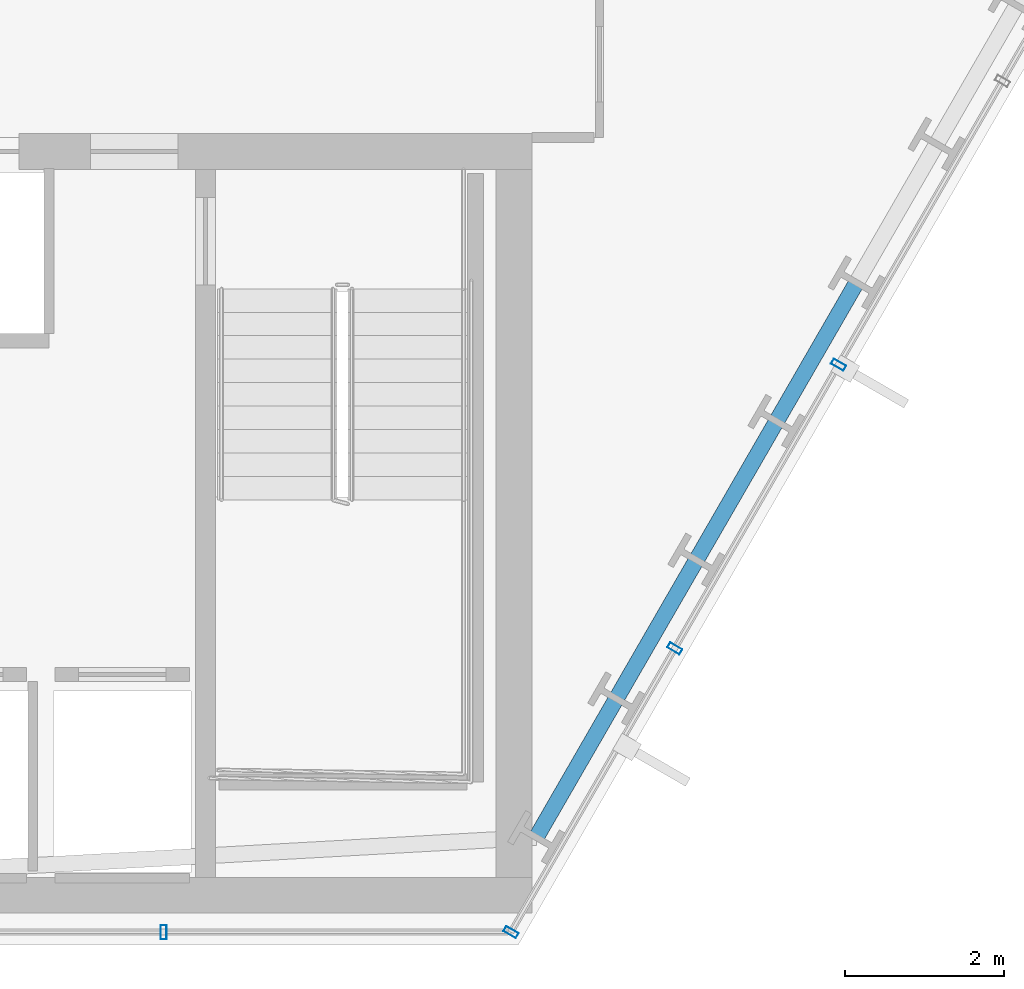
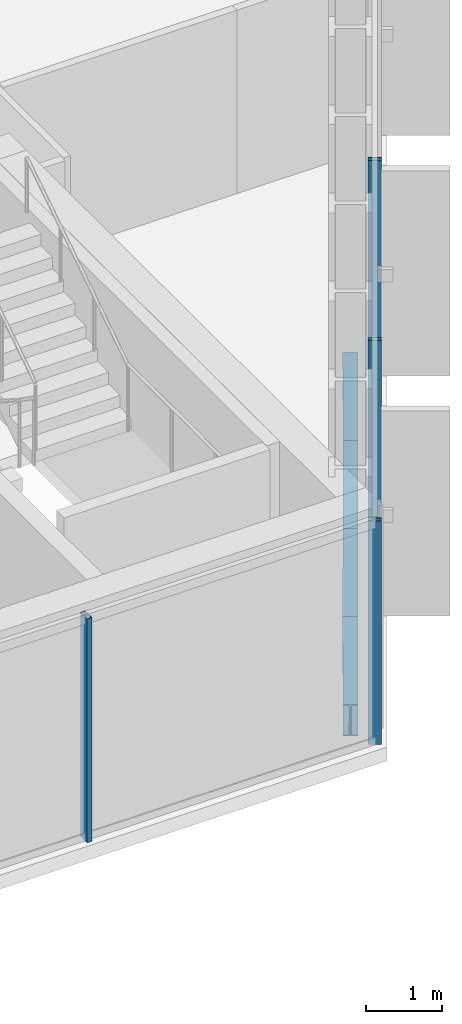
# One storey, part 14 of 33: 4 beams, 4 members, 2 elements without a shape of their own.
"""IFC4 building model written with IfcOpenShell, lengths in metres."""

import ifcopenshell
import ifcopenshell.guid

model = None  # the IFC model being written
_history = None  # IfcOwnerHistory: only IFC2X3 demands one
_inside = {}  # id of a spatial element -> (the spatial element, [elements in it])
_under = {}  # id of a project, library or spatial element -> (it, [spatial elements below it])
_declared = {}  # id of a project -> (the project, [libraries it declares])
_typed = {}  # id of a type object -> (the type object, [elements of that type])
_made_of = {}  # id of a material, layer set ... -> (it, [elements and type objects made of it])


def new_model(schema):
    """Start an empty IFC model of exactly this schema.

    Asked for "IFC4X3", IfcOpenShell would pick the latest addendum, in which some entities
    have other attributes; the version numbers below select the first issue.
    IFC2X3 requires an IfcOwnerHistory on every rooted entity: one is made here for all.
    """
    global model, _history
    if schema == "IFC4X3":
        model = ifcopenshell.file(schema_version=(4, 3, 0, 0))
    else:
        model = ifcopenshell.file(schema=schema)
    _inside.clear()
    _under.clear()
    _declared.clear()
    _typed.clear()
    _made_of.clear()
    _history = None
    if model.schema == "IFC2X3":
        org = make("IfcOrganization", Name="unknown")
        user = make(
            "IfcPersonAndOrganization",
            ThePerson=make("IfcPerson", FamilyName="unknown"),
            TheOrganization=org,
        )
        app = make(
            "IfcApplication",
            ApplicationDeveloper=org,
            Version="unknown",
            ApplicationFullName="unknown",
            ApplicationIdentifier="unknown",
        )
        _history = make(
            "IfcOwnerHistory",
            OwningUser=user,
            OwningApplication=app,
            ChangeAction="ADDED",
            CreationDate=0,
        )
    return model


def make(cls, **values):
    """One entity of the class cls with the attributes given. An attribute that is None is left unset."""
    return model.create_entity(
        cls, **{name: value for name, value in values.items() if value is not None}
    )


def rooted(cls, **values):
    """An entity with a GlobalId (a new one), such as an element, a storey or a relation."""
    return make(cls, GlobalId=ifcopenshell.guid.new(), OwnerHistory=_history, **values)


def si_unit(unit_type, name, prefix=None):
    """IfcSIUnit, for example si_unit("LENGTHUNIT", "METRE", prefix="MILLI")."""
    return make("IfcSIUnit", UnitType=unit_type, Prefix=prefix, Name=name)


def assignment(units):
    """IfcUnitAssignment: the units of a project."""
    return None if units is None else make("IfcUnitAssignment", Units=units)


def point(xyz):
    """IfcCartesianPoint."""
    return None if xyz is None else make("IfcCartesianPoint", Coordinates=xyz)


def direction(xyz):
    """IfcDirection."""
    return None if xyz is None else make("IfcDirection", DirectionRatios=xyz)


def frame(location, z_axis=None, x_axis=None):
    """IfcAxis2Placement3D, a coordinate frame: its origin and axes. An axis left out is left unset."""
    return make(
        "IfcAxis2Placement3D",
        Location=point(location),
        Axis=direction(z_axis),
        RefDirection=direction(x_axis),
    )


def frame_2d(location, x_axis=None):
    """IfcAxis2Placement2D, a coordinate frame in the plane: its origin and x axis."""
    return make(
        "IfcAxis2Placement2D", Location=point(location), RefDirection=direction(x_axis)
    )


def origin():
    """The frame at (0, 0, 0) with its axes left unset."""
    return frame((0.0, 0.0, 0.0))


def origin_2d():
    """The frame at (0, 0) in the plane with its x axis left unset."""
    return frame_2d((0.0, 0.0))


def place(relative_to, where):
    """IfcLocalPlacement: puts the frame where relative to a parent placement (None: the world)."""
    return make(
        "IfcLocalPlacement", PlacementRelTo=relative_to, RelativePlacement=where
    )


def context(
    kind, dimensions, precision=None, world=None, true_north=None, identifier=None
):
    """IfcGeometricRepresentationContext, for example the 3D "Model" context."""
    return make(
        "IfcGeometricRepresentationContext",
        ContextIdentifier=identifier,
        ContextType=kind,
        CoordinateSpaceDimension=dimensions,
        Precision=precision,
        WorldCoordinateSystem=world,
        TrueNorth=true_north,
    )


def subcontext(parent, identifier, kind, view, scale=None):
    """IfcGeometricRepresentationSubContext, for example "Body" below "Model"."""
    return make(
        "IfcGeometricRepresentationSubContext",
        ContextIdentifier=identifier,
        ContextType=kind,
        ParentContext=parent,
        TargetScale=scale,
        TargetView=view,
    )


def project(units=None, contexts=None):
    """IfcProject with its units and contexts."""
    return rooted(
        "IfcProject",
        Name="project",
        RepresentationContexts=contexts,
        UnitsInContext=assignment(units),
    )


def spatial(cls, under=None, at=None, **own):
    """A site, building, storey or space (cls), placed at a placement, below another one or the project."""
    s = rooted(cls, ObjectPlacement=at, **own)
    if under is not None:
        _under.setdefault(under.id(), (under, []))[1].append(s)
    return s


def profile(cls, at=None, kind="AREA", **sizes):
    """A parametric profile (cls). Its sizes go by their IFC names, for example OverallWidth=200.0."""
    return make(cls, ProfileType=kind, Position=at, **sizes)


def hollow_rectangle(**sizes):
    """IfcRectangleHollowProfileDef."""
    return profile("IfcRectangleHollowProfileDef", **sizes)


def i_section(**sizes):
    """IfcIShapeProfileDef."""
    return profile("IfcIShapeProfileDef", **sizes)


def extrude(swept, where, along, depth):
    """IfcExtrudedAreaSolid: the profile swept, set in the frame where, extruded along a direction by depth."""
    return make(
        "IfcExtrudedAreaSolid",
        SweptArea=swept,
        Position=where,
        ExtrudedDirection=direction(along),
        Depth=depth,
    )


def shape(context_of_items, identifier, shape_type, items):
    """IfcShapeRepresentation: the items that make up one representation, for example the "Body"."""
    return make(
        "IfcShapeRepresentation",
        ContextOfItems=context_of_items,
        RepresentationIdentifier=identifier,
        RepresentationType=shape_type,
        Items=items,
    )


def material(Name=None, Category=None):
    """IfcMaterial."""
    return make("IfcMaterial", Name=Name, Category=Category)


def layer(
    of_material, thickness, ventilated=None, Name=None, Category=None, Priority=None
):
    """IfcMaterialLayer: one layer of a wall or slab, of a material (None: an air gap)."""
    return make(
        "IfcMaterialLayer",
        Material=of_material,
        LayerThickness=thickness,
        IsVentilated=ventilated,
        Name=Name,
        Category=Category,
        Priority=Priority,
    )


def layer_set(layers, Name=None):
    """IfcMaterialLayerSet."""
    return make("IfcMaterialLayerSet", MaterialLayers=layers, LayerSetName=Name)


def material_profile(
    of_material, cross_section, Name=None, Category=None, Priority=None
):
    """IfcMaterialProfile: a cross section and its material."""
    return make(
        "IfcMaterialProfile",
        Name=Name,
        Material=of_material,
        Profile=cross_section,
        Priority=Priority,
        Category=Category,
    )


def profile_set(profiles, Name=None, composite=None):
    """IfcMaterialProfileSet."""
    return make(
        "IfcMaterialProfileSet",
        Name=Name,
        MaterialProfiles=profiles,
        CompositeProfile=composite,
    )


def made_of(thing, what):
    """Note that an element or type object is made of a material, layer set ...; save() writes the relation."""
    if what is not None:
        _made_of.setdefault(what.id(), (what, []))[1].append(thing)
    return thing


def type_object(cls, material=None, **own):
    """A type object (cls), such as IfcWallType, which elements share."""
    return made_of(rooted(cls, **own), material)


def element(
    cls,
    number,
    at=None,
    inside=None,
    cuts=None,
    type_object=None,
    material=None,
    context=None,
    identifier="Body",
    shape_type=None,
    held_by="IfcProductDefinitionShape",
    body=None,
    shapes=None,
    **own,
):
    """One element of the class cls, such as IfcWall. Its Tag is "e" and its number.

    at: its placement. inside: the storey or other place that contains it. cuts: it is an
    opening in that element (IfcRelVoidsElement). A single representation is given by context,
    identifier, shape_type and body (its items); several are given by shapes. held_by: the class
    of the entity that holds the representations. save() writes the other relations.
    """
    e = rooted(cls, Tag="e%d" % number, ObjectPlacement=at, **own)
    if body is not None:
        shapes = [shape(context, identifier, shape_type, body)]
    if shapes is not None:
        e.Representation = make(held_by, Representations=shapes)
    if inside is not None:
        _inside.setdefault(inside.id(), (inside, []))[1].append(e)
    if cuts is not None:
        rooted(
            "IfcRelVoidsElement", RelatingBuildingElement=cuts, RelatedOpeningElement=e
        )
    if type_object is not None:
        _typed.setdefault(type_object.id(), (type_object, []))[1].append(e)
    return made_of(e, material)


def aggregate(whole, parts):
    """IfcRelAggregates: a whole, such as a stair, and the parts it consists of."""
    return rooted("IfcRelAggregates", RelatingObject=whole, RelatedObjects=parts)


def save(model, path):
    """Write the relations noted so far, then the file.

    IfcRelAggregates (storeys below a building ...), IfcRelContainedInSpatialStructure (elements
    in a storey), IfcRelDefinesByType, IfcRelAssociatesMaterial and IfcRelDeclares: one each for
    every whole, place, type object, material and project.
    """
    for whole, parts in _under.values():
        aggregate(whole, parts)
    for where, things in _inside.values():
        rooted(
            "IfcRelContainedInSpatialStructure",
            RelatedElements=things,
            RelatingStructure=where,
        )
    for kind, things in _typed.values():
        rooted("IfcRelDefinesByType", RelatedObjects=things, RelatingType=kind)
    for what, things in _made_of.values():
        rooted("IfcRelAssociatesMaterial", RelatedObjects=things, RelatingMaterial=what)
    for by, libraries in _declared.values():
        rooted("IfcRelDeclares", RelatingContext=by, RelatedDefinitions=libraries)
    model.write(path)


model = new_model("IFC4")

# Units and contexts
model_context = context("Model", 3, precision=1e-05, world=origin(), true_north=direction((0.0, 1.0)))
body_context = subcontext(model_context, "Body", "Model", "MODEL_VIEW")
ifc_project = project(units=[si_unit("LENGTHUNIT", "METRE"), si_unit("AREAUNIT", "SQUARE_METRE"), si_unit("VOLUMEUNIT", "CUBIC_METRE"), si_unit("PLANEANGLEUNIT", "RADIAN"), si_unit("MASSUNIT", "GRAM", prefix="KILO")], contexts=[model_context])

# Site, building, storey
site_placement = place(None, origin())
site = spatial("IfcSite", under=ifc_project, at=site_placement, CompositionType="ELEMENT")
building_placement = place(site_placement, origin())
building = spatial("IfcBuilding", under=site, at=building_placement, Name="Ndaravel Arena Tower", CompositionType="ELEMENT")
storey_placement = place(building_placement, frame((0.0, 0.0, 39.800048828125)))
storey = spatial("IfcBuildingStorey", under=building, at=storey_placement, Name="L07", CompositionType="ELEMENT", Elevation=39.800048828125)

# Beams
ifc_material_1 = material(Name="Steel S355", Category="steel")
ifc_material_profile_1 = material_profile(ifc_material_1, i_section(OverallWidth=0.199951171875, OverallDepth=0.5, WebThickness=0.01025390625, FlangeThickness=0.01611328125, FilletRadius=0.02099609375, at=origin_2d()), Name="IPE 500")
ifc_profile_set_1 = profile_set([ifc_material_profile_1], Name="Steel S355")
beam_type = type_object("IfcBeamType", Name="BM-SPAN-IPE500", PredefinedType="SPANDREL", material=ifc_profile_set_1)
beam_1_placement = place(storey_placement, frame((57.60693359375, 6.351806640625, -0.469970703125), z_axis=(0.499907881037, 0.86607858216, 0.0), x_axis=(-0.86607858216, 0.499907881037, 0.0)))
element("IfcBeam", 1, at=beam_1_placement, inside=storey, type_object=beam_type, Name="L07 Perimeter Spandrel Beam SP-02", PredefinedType="SPANDREL", context=body_context, shape_type="SweptSolid", body=[
    extrude(i_section(OverallWidth=0.199951171875, OverallDepth=0.5, WebThickness=0.01025390625, FlangeThickness=0.01611328125, FilletRadius=0.02099609375, at=origin_2d()), origin(), (0.0, 0.0, 1.0), 2.013671875),
])
for number, where, z_axis, x_axis, name in (
    (2, (58.613525390625, 8.095703125, -0.469970703125), (0.500051323872, 0.865995769906, 0.0), (-0.865995769906, 0.500051323872, 0.0), "L07 Perimeter Spandrel Beam SP-03"),
    (3, (59.620361328125, 9.83935546875, -0.469970703125), (0.500051323872, 0.865995769906, 0.0), (-0.865995769906, 0.500051323872, 0.0), "L07 Perimeter Spandrel Beam SP-04"),
):
    element("IfcBeam", number, at=place(storey_placement, frame(where, z_axis=z_axis, x_axis=x_axis)), inside=storey, type_object=beam_type, Name=name, PredefinedType="SPANDREL", context=body_context, shape_type="SweptSolid", body=[
        extrude(i_section(OverallWidth=0.199951171875, OverallDepth=0.5, WebThickness=0.01025390625, FlangeThickness=0.01611328125, FilletRadius=0.02099609375, at=origin_2d()), origin(), (0.0, 0.0, 1.0), 2.013427734375),
    ])
beam_2_placement = place(storey_placement, frame((60.627197265625, 11.5830078125, -0.469970703125), z_axis=(0.499907881037, 0.86607858216, 0.0), x_axis=(-0.86607858216, 0.499907881037, 0.0)))
element("IfcBeam", 4, at=beam_2_placement, inside=storey, type_object=beam_type, Name="L07 Perimeter Spandrel Beam SP-05", PredefinedType="SPANDREL", context=body_context, shape_type="SweptSolid", body=[
    extrude(i_section(OverallWidth=0.199951171875, OverallDepth=0.5, WebThickness=0.01025390625, FlangeThickness=0.01611328125, FilletRadius=0.02099609375, at=origin_2d()), origin(), (0.0, 0.0, 1.0), 2.013671875),
])

# Curtain wall, member
ifc_material_2 = material(Name="Aluminium", Category="aluminium")
ifc_layer_1 = layer(ifc_material_2, 0.179931640625)
ifc_layer_set_1 = layer_set([ifc_layer_1], Name="Aluminium")
curtain_wall_type_1 = type_object("IfcCurtainWallType", Name="CW-SYS-03", PredefinedType="NOTDEFINED", material=ifc_layer_set_1)
curtain_wall_1_placement = place(storey_placement, origin())
curtain_wall_1 = element("IfcCurtainWall", 5, at=curtain_wall_1_placement, inside=storey, type_object=curtain_wall_type_1, Name="L07 Faceted Crystal Curtain Wall CW-L07-E01", PredefinedType="NOTDEFINED")
ifc_material_3 = material(Name="Aluminium", Category="aluminium")
ifc_material_profile_2 = material_profile(ifc_material_3, hollow_rectangle(XDim=0.074951171875, YDim=0.179931640625, WallThickness=0.00390625, at=origin_2d()), Name="CW MULLION 75x180x4")
ifc_profile_set_2 = profile_set([ifc_material_profile_2], Name="Aluminium")
member_type = type_object("IfcMemberType", Name="MEM-CW-MUL180", PredefinedType="MULLION", material=ifc_profile_set_2)
member_1_placement = place(storey_placement, frame((52.920166015625, 5.159912109375, 0.0), z_axis=(0.0, 0.0, 1.0), x_axis=(1.0, 0.0, 0.0)))
member_1 = element("IfcMember", 6, at=member_1_placement, type_object=member_type, Name="CW-L07-E01 Mullion 06", PredefinedType="MULLION", context=body_context, shape_type="SweptSolid", body=[
    extrude(hollow_rectangle(XDim=0.074951171875, YDim=0.179931640625, WallThickness=0.00390625, at=origin_2d()), origin(), (0.0, 0.0, 1.0), 3.579833984375),
])
aggregate(curtain_wall_1, [member_1])

# Curtain wall, members
ifc_material_4 = material(Name="Aluminium", Category="aluminium")
ifc_layer_2 = layer(ifc_material_4, 0.179931640625)
ifc_layer_set_2 = layer_set([ifc_layer_2], Name="Aluminium")
curtain_wall_type_2 = type_object("IfcCurtainWallType", Name="CW-SYS-01", PredefinedType="NOTDEFINED", material=ifc_layer_set_2)
curtain_wall_2_placement = place(storey_placement, origin())
curtain_wall_2 = element("IfcCurtainWall", 7, at=curtain_wall_2_placement, inside=storey, type_object=curtain_wall_type_2, Name="L07 Faceted Crystal Curtain Wall CW-L07-E02", PredefinedType="NOTDEFINED")
member_2_placement = place(storey_placement, frame((57.2880859375, 5.159912109375, 0.0), z_axis=(0.0, 0.0, 1.0), x_axis=(0.5, 0.866025403784, 0.0)))
member_2 = element("IfcMember", 8, at=member_2_placement, type_object=member_type, Name="CW-L07-E02 Mullion 00", PredefinedType="MULLION", context=body_context, shape_type="SweptSolid", body=[
    extrude(hollow_rectangle(XDim=0.074951171875, YDim=0.179931640625, WallThickness=0.00390625, at=origin_2d()), origin(), (0.0, 0.0, 1.0), 3.579833984375),
])
member_3_placement = place(storey_placement, frame((59.347900390625, 8.7275390625, 0.0), z_axis=(0.0, 0.0, 1.0), x_axis=(0.5, 0.866025403784, 0.0)))
member_3 = element("IfcMember", 9, at=member_3_placement, type_object=member_type, Name="CW-L07-E02 Mullion 01", PredefinedType="MULLION", context=body_context, shape_type="SweptSolid", body=[
    extrude(hollow_rectangle(XDim=0.074951171875, YDim=0.179931640625, WallThickness=0.00390625, at=origin_2d()), origin(), (0.0, 0.0, 1.0), 3.579833984375),
])
member_4_placement = place(storey_placement, frame((61.40771484375, 12.294921875, 0.0), z_axis=(0.0, 0.0, 1.0), x_axis=(0.5, 0.866025403784, 0.0)))
member_4 = element("IfcMember", 10, at=member_4_placement, type_object=member_type, Name="CW-L07-E02 Mullion 02", PredefinedType="MULLION", context=body_context, shape_type="SweptSolid", body=[
    extrude(hollow_rectangle(XDim=0.074951171875, YDim=0.179931640625, WallThickness=0.00390625, at=origin_2d()), origin(), (0.0, 0.0, 1.0), 3.579833984375),
])
aggregate(curtain_wall_2, [member_2, member_3, member_4])

save(model, "model.ifc")
